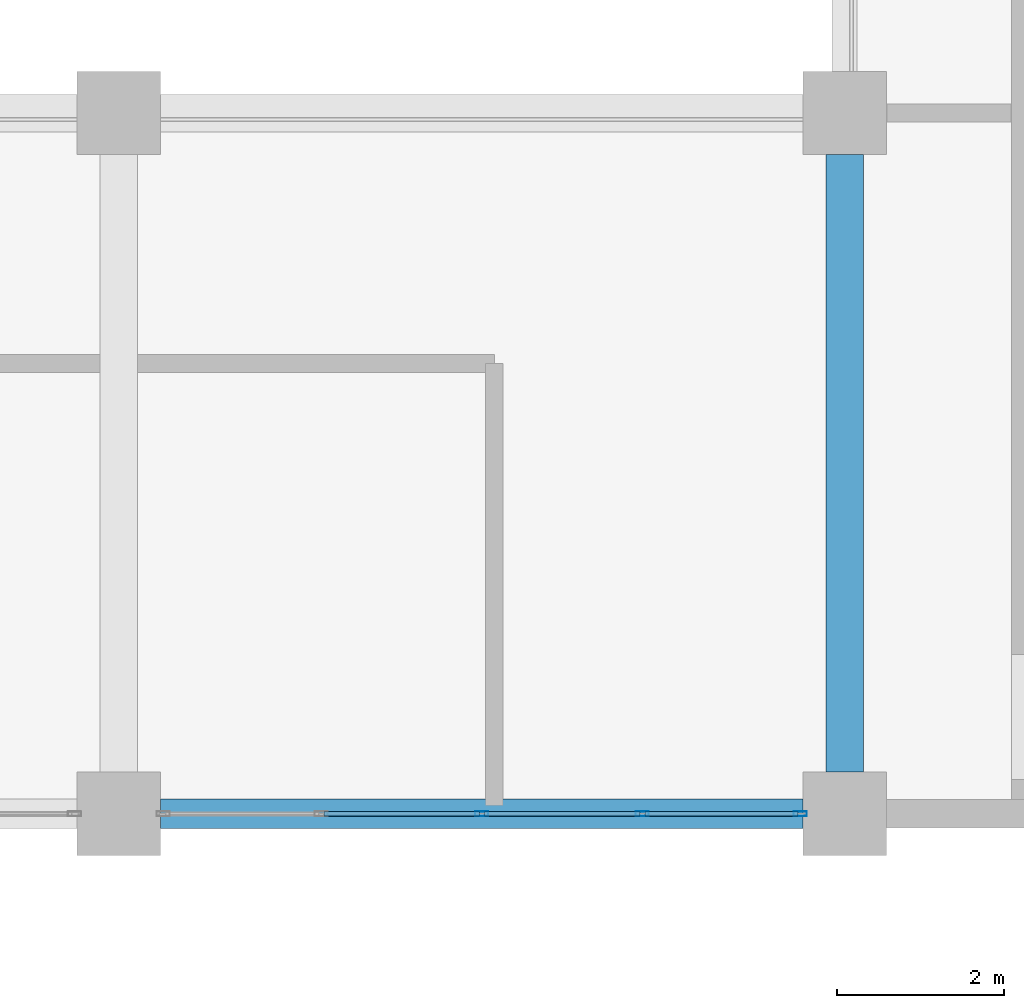
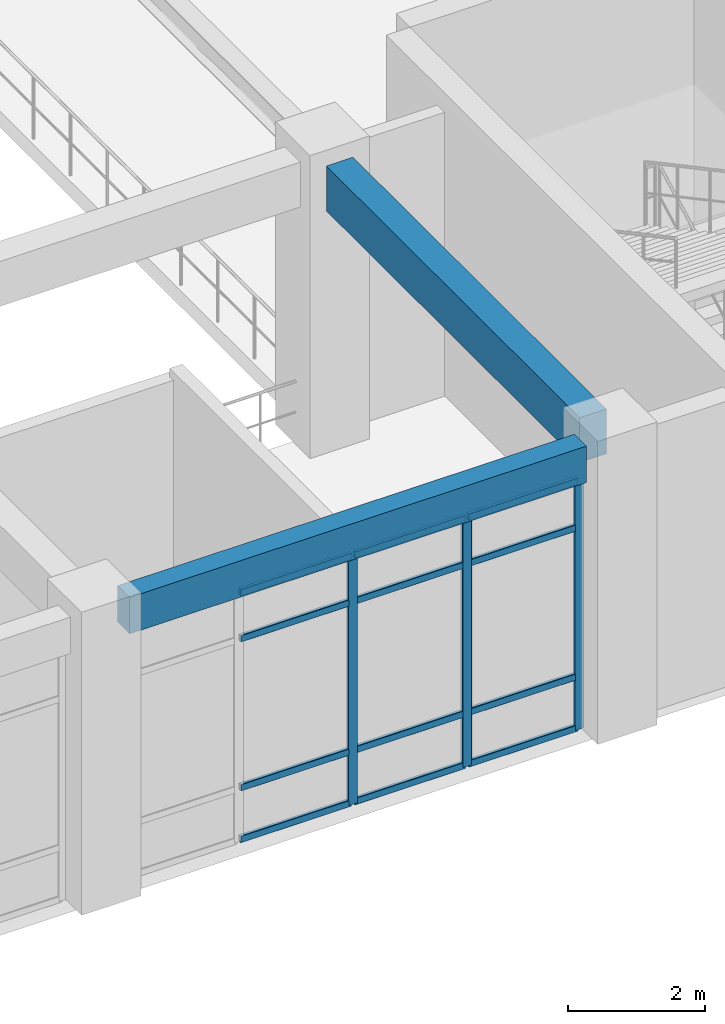
# One storey, part 34 of 114: 15 members, 2 beams, 1 element without a shape of its own.
"""IFC4 building model written with IfcOpenShell, lengths in metres."""

from ifc_helpers import new_model, si_unit, derived_unit, direction, frame, origin, origin_2d, place, context, subcontext, project, spatial, rectangle, hollow_rectangle, extrude, material, layer, layer_set, material_profile, profile_set, type_object, element, aggregate, save


model = new_model("IFC4")

# Units and contexts
model_context = context("Model", 3, precision=1e-05, world=origin(), true_north=direction((0.0, 1.0)))
body_context = subcontext(model_context, "Body", "Model", "MODEL_VIEW")
ifc_project = project(units=[si_unit("LENGTHUNIT", "METRE"), si_unit("AREAUNIT", "SQUARE_METRE"), si_unit("VOLUMEUNIT", "CUBIC_METRE"), si_unit("PLANEANGLEUNIT", "RADIAN"), si_unit("MASSUNIT", "GRAM", prefix="KILO"), derived_unit("THERMALTRANSMITTANCEUNIT", [(si_unit("MASSUNIT", "GRAM", prefix="KILO"), 1), (si_unit("TIMEUNIT", "SECOND"), -3), (si_unit("THERMODYNAMICTEMPERATUREUNIT", "KELVIN"), -1)])], contexts=[model_context])

# Site, building, storey
site_placement = place(None, origin())
site = spatial("IfcSite", under=ifc_project, at=site_placement, CompositionType="ELEMENT")
building_placement = place(site_placement, origin())
building = spatial("IfcBuilding", under=site, at=building_placement, Name="Qinzheling Arcade Emporium", CompositionType="ELEMENT")
storey_placement = place(building_placement, frame((0.0, 0.0, 6.0)))
storey = spatial("IfcBuildingStorey", under=building, at=storey_placement, Name="L02", CompositionType="ELEMENT", Elevation=6.0)

# Curtain wall, members
ifc_material_1 = material(Name="Anodised aluminium and solar-control double glazing", Category="aluminium")
ifc_layer = layer(ifc_material_1, 0.159912109375, Name="Anodised aluminium and solar-control double glazing", Category="aluminium")
ifc_layer_set = layer_set([ifc_layer], Name="Anodised aluminium and solar-control double glazing")
curtain_wall_type = type_object("IfcCurtainWallType", Name="Atrium Clerestory Curtain Wall", PredefinedType="NOTDEFINED", material=ifc_layer_set)
curtain_wall_placement = place(storey_placement, origin())
curtain_wall = element("IfcCurtainWall", 1, at=curtain_wall_placement, inside=storey, type_object=curtain_wall_type, Name="Curtain Wall CW-L02-063", PredefinedType="NOTDEFINED")
ifc_material_2 = material(Name="Anodised aluminium 6063-T6", Category="aluminium")
ifc_material_profile_1 = material_profile(ifc_material_2, hollow_rectangle(XDim=0.06005859375, YDim=0.159912109375, WallThickness=0.00390625, InnerFilletRadius=0.00390625, OuterFilletRadius=0.008056640625, at=origin_2d()), Name="RHS 160x60x4", Category="aluminium")
ifc_profile_set_1 = profile_set([ifc_material_profile_1], Name="Anodised aluminium 6063-T6")
member_type_1 = type_object("IfcMemberType", Name="Curtain Wall Mullion RHS160x60", PredefinedType="MULLION", material=ifc_profile_set_1)
member_1_placement = place(storey_placement, frame((86.468017578125, 42.0, 0.0), z_axis=(0.0, 0.0, 1.0), x_axis=(0.0, -1.0, 0.0)))
member_1 = element("IfcMember", 2, at=member_1_placement, type_object=member_type_1, Name="CW03 mullion 1", PredefinedType="MULLION", context=body_context, shape_type="SweptSolid", body=[
    extrude(hollow_rectangle(XDim=0.06005859375, YDim=0.159912109375, WallThickness=0.00390625, InnerFilletRadius=0.00390625, OuterFilletRadius=0.008056640625, at=origin_2d()), origin(), (0.0, 0.0, 1.0), 4.455078125),
])
member_2_placement = place(storey_placement, frame((84.573974609375, 42.0, 0.0), z_axis=(0.0, 0.0, 1.0), x_axis=(0.0, -1.0, 0.0)))
member_2 = element("IfcMember", 3, at=member_2_placement, type_object=member_type_1, Name="CW03 mullion 2", PredefinedType="MULLION", context=body_context, shape_type="SweptSolid", body=[
    extrude(hollow_rectangle(XDim=0.06005859375, YDim=0.159912109375, WallThickness=0.00390625, InnerFilletRadius=0.00390625, OuterFilletRadius=0.008056640625, at=origin_2d()), origin(), (0.0, 0.0, 1.0), 4.455078125),
])
member_3_placement = place(storey_placement, frame((82.64990234375, 42.0, 0.0), z_axis=(0.0, 0.0, 1.0), x_axis=(0.0, -1.0, 0.0)))
member_3 = element("IfcMember", 4, at=member_3_placement, type_object=member_type_1, Name="CW03 mullion 3", PredefinedType="MULLION", context=body_context, shape_type="SweptSolid", body=[
    extrude(hollow_rectangle(XDim=0.06005859375, YDim=0.159912109375, WallThickness=0.00390625, InnerFilletRadius=0.00390625, OuterFilletRadius=0.008056640625, at=origin_2d()), origin(), (0.0, 0.0, 1.0), 4.455078125),
])
ifc_material_profile_2 = material_profile(ifc_material_2, hollow_rectangle(XDim=0.06005859375, YDim=0.1201171875, WallThickness=0.00390625, InnerFilletRadius=0.00390625, OuterFilletRadius=0.008056640625, at=origin_2d()), Name="RHS 120x60x4", Category="aluminium")
ifc_profile_set_2 = profile_set([ifc_material_profile_2], Name="Anodised aluminium 6063-T6")
member_type_2 = type_object("IfcMemberType", Name="Curtain Wall Transom RHS120x60", PredefinedType="USERDEFINED", material=ifc_profile_set_2)
member_4_placement = place(storey_placement, frame((86.43798828125, 42.0, 0.030029296875), z_axis=(-1.0, 0.0, 0.0), x_axis=(0.0, -1.0, 0.0)))
member_4 = element("IfcMember", 5, at=member_4_placement, type_object=member_type_2, Name="CW03 transom 1.1", ObjectType="TRANSOM", PredefinedType="USERDEFINED", context=body_context, shape_type="SweptSolid", body=[
    extrude(hollow_rectangle(XDim=0.06005859375, YDim=0.1201171875, WallThickness=0.00390625, InnerFilletRadius=0.00390625, OuterFilletRadius=0.008056640625, at=origin_2d()), origin(), (0.0, 0.0, 1.0), 1.833984375),
])
member_5_placement = place(storey_placement, frame((86.43798828125, 42.0, 0.949951171875), z_axis=(-1.0, 0.0, 0.0), x_axis=(0.0, -1.0, 0.0)))
member_5 = element("IfcMember", 6, at=member_5_placement, type_object=member_type_2, Name="CW03 transom 1.2", ObjectType="TRANSOM", PredefinedType="USERDEFINED", context=body_context, shape_type="SweptSolid", body=[
    extrude(hollow_rectangle(XDim=0.06005859375, YDim=0.1201171875, WallThickness=0.00390625, InnerFilletRadius=0.00390625, OuterFilletRadius=0.008056640625, at=origin_2d()), origin(), (0.0, 0.0, 1.0), 1.833984375),
])
member_6_placement = place(storey_placement, frame((86.43798828125, 42.0, 3.60498046875), z_axis=(-1.0, 0.0, 0.0), x_axis=(0.0, -1.0, 0.0)))
member_6 = element("IfcMember", 7, at=member_6_placement, type_object=member_type_2, Name="CW03 transom 1.3", ObjectType="TRANSOM", PredefinedType="USERDEFINED", context=body_context, shape_type="SweptSolid", body=[
    extrude(hollow_rectangle(XDim=0.06005859375, YDim=0.1201171875, WallThickness=0.00390625, InnerFilletRadius=0.00390625, OuterFilletRadius=0.008056640625, at=origin_2d()), origin(), (0.0, 0.0, 1.0), 1.833984375),
])
member_7_placement = place(storey_placement, frame((86.43798828125, 42.0, 4.425048828125), z_axis=(-1.0, 0.0, 0.0), x_axis=(0.0, -1.0, 0.0)))
member_7 = element("IfcMember", 8, at=member_7_placement, type_object=member_type_2, Name="CW03 transom 1.4", ObjectType="TRANSOM", PredefinedType="USERDEFINED", context=body_context, shape_type="SweptSolid", body=[
    extrude(hollow_rectangle(XDim=0.06005859375, YDim=0.1201171875, WallThickness=0.00390625, InnerFilletRadius=0.00390625, OuterFilletRadius=0.008056640625, at=origin_2d()), origin(), (0.0, 0.0, 1.0), 1.833984375),
])
member_8_placement = place(storey_placement, frame((84.5439453125, 42.0, 0.030029296875), z_axis=(-1.0, 0.0, 0.0), x_axis=(0.0, -1.0, 0.0)))
member_8 = element("IfcMember", 9, at=member_8_placement, type_object=member_type_2, Name="CW03 transom 2.1", ObjectType="TRANSOM", PredefinedType="USERDEFINED", context=body_context, shape_type="SweptSolid", body=[
    extrude(hollow_rectangle(XDim=0.06005859375, YDim=0.1201171875, WallThickness=0.00390625, InnerFilletRadius=0.00390625, OuterFilletRadius=0.008056640625, at=origin_2d()), origin(), (0.0, 0.0, 1.0), 1.864013671875),
])
member_9_placement = place(storey_placement, frame((84.5439453125, 42.0, 0.949951171875), z_axis=(-1.0, 0.0, 0.0), x_axis=(0.0, -1.0, 0.0)))
member_9 = element("IfcMember", 10, at=member_9_placement, type_object=member_type_2, Name="CW03 transom 2.2", ObjectType="TRANSOM", PredefinedType="USERDEFINED", context=body_context, shape_type="SweptSolid", body=[
    extrude(hollow_rectangle(XDim=0.06005859375, YDim=0.1201171875, WallThickness=0.00390625, InnerFilletRadius=0.00390625, OuterFilletRadius=0.008056640625, at=origin_2d()), origin(), (0.0, 0.0, 1.0), 1.864013671875),
])
member_10_placement = place(storey_placement, frame((84.5439453125, 42.0, 3.60498046875), z_axis=(-1.0, 0.0, 0.0), x_axis=(0.0, -1.0, 0.0)))
member_10 = element("IfcMember", 11, at=member_10_placement, type_object=member_type_2, Name="CW03 transom 2.3", ObjectType="TRANSOM", PredefinedType="USERDEFINED", context=body_context, shape_type="SweptSolid", body=[
    extrude(hollow_rectangle(XDim=0.06005859375, YDim=0.1201171875, WallThickness=0.00390625, InnerFilletRadius=0.00390625, OuterFilletRadius=0.008056640625, at=origin_2d()), origin(), (0.0, 0.0, 1.0), 1.864013671875),
])
member_11_placement = place(storey_placement, frame((84.5439453125, 42.0, 4.425048828125), z_axis=(-1.0, 0.0, 0.0), x_axis=(0.0, -1.0, 0.0)))
member_11 = element("IfcMember", 12, at=member_11_placement, type_object=member_type_2, Name="CW03 transom 2.4", ObjectType="TRANSOM", PredefinedType="USERDEFINED", context=body_context, shape_type="SweptSolid", body=[
    extrude(hollow_rectangle(XDim=0.06005859375, YDim=0.1201171875, WallThickness=0.00390625, InnerFilletRadius=0.00390625, OuterFilletRadius=0.008056640625, at=origin_2d()), origin(), (0.0, 0.0, 1.0), 1.864013671875),
])
member_12_placement = place(storey_placement, frame((82.6201171875, 42.0, 0.030029296875), z_axis=(-1.0, 0.0, 0.0), x_axis=(0.0, -1.0, 0.0)))
member_12 = element("IfcMember", 13, at=member_12_placement, type_object=member_type_2, Name="CW03 transom 3.1", ObjectType="TRANSOM", PredefinedType="USERDEFINED", context=body_context, shape_type="SweptSolid", body=[
    extrude(hollow_rectangle(XDim=0.06005859375, YDim=0.1201171875, WallThickness=0.00390625, InnerFilletRadius=0.00390625, OuterFilletRadius=0.008056640625, at=origin_2d()), origin(), (0.0, 0.0, 1.0), 1.864013671875),
])
member_13_placement = place(storey_placement, frame((82.6201171875, 42.0, 0.949951171875), z_axis=(-1.0, 0.0, 0.0), x_axis=(0.0, -1.0, 0.0)))
member_13 = element("IfcMember", 14, at=member_13_placement, type_object=member_type_2, Name="CW03 transom 3.2", ObjectType="TRANSOM", PredefinedType="USERDEFINED", context=body_context, shape_type="SweptSolid", body=[
    extrude(hollow_rectangle(XDim=0.06005859375, YDim=0.1201171875, WallThickness=0.00390625, InnerFilletRadius=0.00390625, OuterFilletRadius=0.008056640625, at=origin_2d()), origin(), (0.0, 0.0, 1.0), 1.864013671875),
])
member_14_placement = place(storey_placement, frame((82.6201171875, 42.0, 3.60498046875), z_axis=(-1.0, 0.0, 0.0), x_axis=(0.0, -1.0, 0.0)))
member_14 = element("IfcMember", 15, at=member_14_placement, type_object=member_type_2, Name="CW03 transom 3.3", ObjectType="TRANSOM", PredefinedType="USERDEFINED", context=body_context, shape_type="SweptSolid", body=[
    extrude(hollow_rectangle(XDim=0.06005859375, YDim=0.1201171875, WallThickness=0.00390625, InnerFilletRadius=0.00390625, OuterFilletRadius=0.008056640625, at=origin_2d()), origin(), (0.0, 0.0, 1.0), 1.864013671875),
])
member_15_placement = place(storey_placement, frame((82.6201171875, 42.0, 4.425048828125), z_axis=(-1.0, 0.0, 0.0), x_axis=(0.0, -1.0, 0.0)))
member_15 = element("IfcMember", 16, at=member_15_placement, type_object=member_type_2, Name="CW03 transom 3.4", ObjectType="TRANSOM", PredefinedType="USERDEFINED", context=body_context, shape_type="SweptSolid", body=[
    extrude(hollow_rectangle(XDim=0.06005859375, YDim=0.1201171875, WallThickness=0.00390625, InnerFilletRadius=0.00390625, OuterFilletRadius=0.008056640625, at=origin_2d()), origin(), (0.0, 0.0, 1.0), 1.864013671875),
])
aggregate(curtain_wall, [member_1, member_2, member_3, member_4, member_5, member_6, member_7, member_8, member_9, member_10, member_11, member_12, member_13, member_14, member_15])

# Beams
ifc_material_3 = material(Name="Concrete C40", Category="concrete")
ifc_material_profile_3 = material_profile(ifc_material_3, rectangle(XDim=0.449951171875, YDim=0.800048828125, at=origin_2d()), Name="RC 450x800", Category="concrete")
ifc_profile_set_3 = profile_set([ifc_material_profile_3], Name="Concrete C40")
beam_type_1 = type_object("IfcBeamType", Name="RC Primary Frame Beam 450x800 C40", PredefinedType="BEAM", material=ifc_profile_set_3)
beam_1_placement = place(storey_placement, frame((87.0, 42.5, 4.719970703125), z_axis=(0.0, 1.0, 0.0), x_axis=(-1.0, 0.0, 0.0)))
element("IfcBeam", 17, at=beam_1_placement, inside=storey, type_object=beam_type_1, Name="Beam BM-L02-Y-11-F", PredefinedType="BEAM", context=body_context, shape_type="SweptSolid", body=[
    extrude(rectangle(XDim=0.449951171875, YDim=0.800048828125, at=origin_2d()), origin(), (0.0, 0.0, 1.0), 7.39990234375),
])
ifc_material_profile_4 = material_profile(ifc_material_3, rectangle(XDim=0.35009765625, YDim=0.64990234375, at=origin_2d()), Name="RC 350x650", Category="concrete")
ifc_profile_set_4 = profile_set([ifc_material_profile_4], Name="Concrete C40")
beam_type_2 = type_object("IfcBeamType", Name="RC Spandrel Edge Beam 350x650 C40", PredefinedType="SPANDREL", material=ifc_profile_set_4)
beam_2_placement = place(storey_placement, frame((78.800048828125, 42.0, 4.794921875), z_axis=(1.0, 0.0, 0.0), x_axis=(0.0, 1.0, 0.0)))
element("IfcBeam", 18, at=beam_2_placement, inside=storey, type_object=beam_type_2, Name="Beam BM-L02-X-F-10", PredefinedType="SPANDREL", context=body_context, shape_type="SweptSolid", body=[
    extrude(rectangle(XDim=0.35009765625, YDim=0.64990234375, at=origin_2d()), origin(), (0.0, 0.0, 1.0), 7.699951171875),
])

save(model, "model.ifc")
